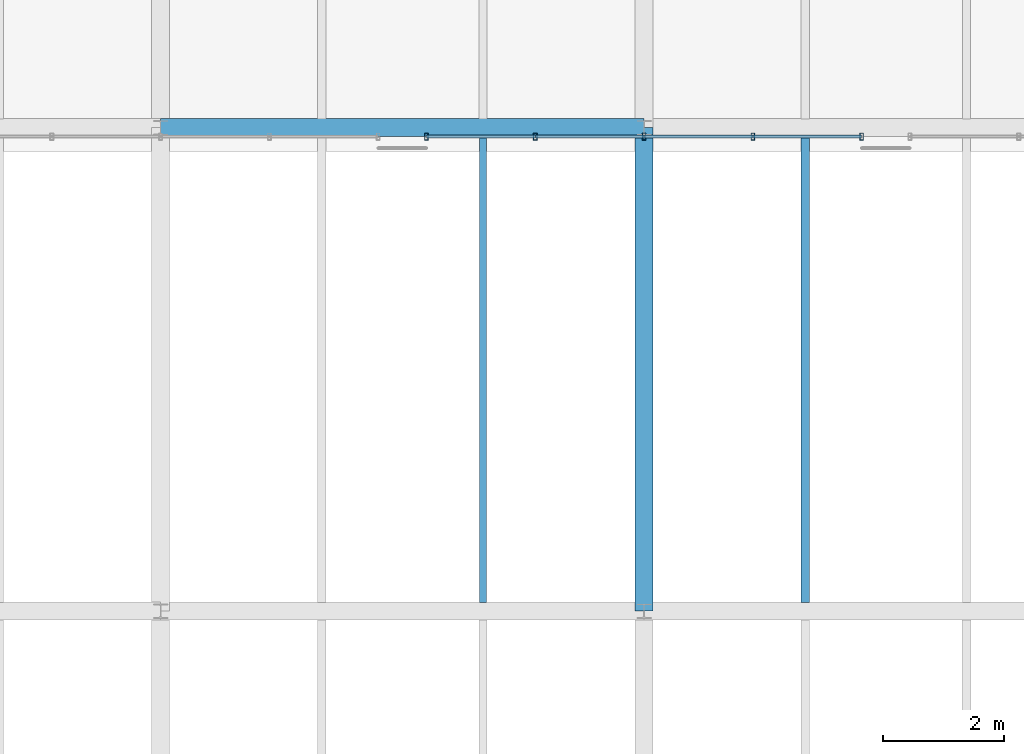
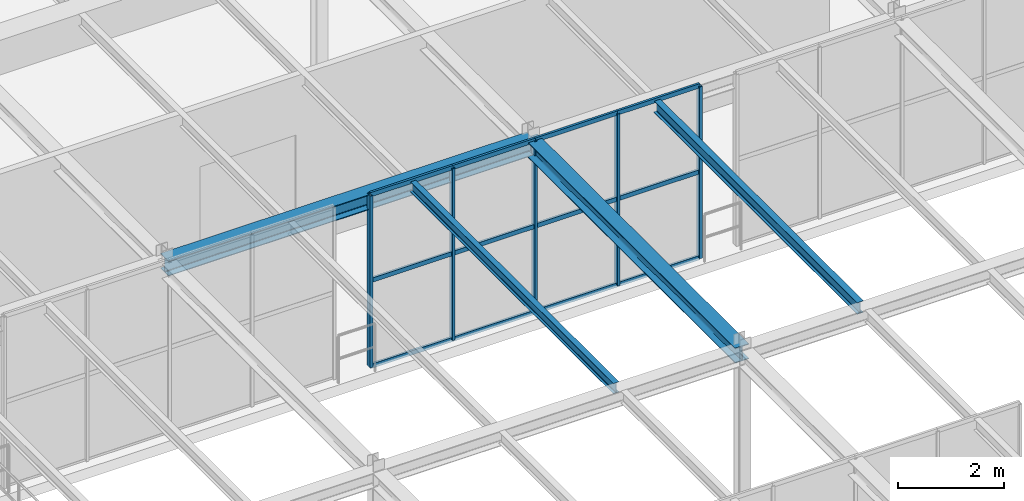
# One storey, part 57 of 124: 17 members, 4 beams, 1 element without a shape of its own.
"""IFC4 building model written with IfcOpenShell, lengths in metres."""

import ifcopenshell
import ifcopenshell.guid

model = None  # the IFC model being written
_history = None  # IfcOwnerHistory: only IFC2X3 demands one
_inside = {}  # id of a spatial element -> (the spatial element, [elements in it])
_under = {}  # id of a project, library or spatial element -> (it, [spatial elements below it])
_declared = {}  # id of a project -> (the project, [libraries it declares])
_typed = {}  # id of a type object -> (the type object, [elements of that type])
_made_of = {}  # id of a material, layer set ... -> (it, [elements and type objects made of it])


def new_model(schema):
    """Start an empty IFC model of exactly this schema.

    Asked for "IFC4X3", IfcOpenShell would pick the latest addendum, in which some entities
    have other attributes; the version numbers below select the first issue.
    IFC2X3 requires an IfcOwnerHistory on every rooted entity: one is made here for all.
    """
    global model, _history
    if schema == "IFC4X3":
        model = ifcopenshell.file(schema_version=(4, 3, 0, 0))
    else:
        model = ifcopenshell.file(schema=schema)
    _inside.clear()
    _under.clear()
    _declared.clear()
    _typed.clear()
    _made_of.clear()
    _history = None
    if model.schema == "IFC2X3":
        org = make("IfcOrganization", Name="unknown")
        user = make(
            "IfcPersonAndOrganization",
            ThePerson=make("IfcPerson", FamilyName="unknown"),
            TheOrganization=org,
        )
        app = make(
            "IfcApplication",
            ApplicationDeveloper=org,
            Version="unknown",
            ApplicationFullName="unknown",
            ApplicationIdentifier="unknown",
        )
        _history = make(
            "IfcOwnerHistory",
            OwningUser=user,
            OwningApplication=app,
            ChangeAction="ADDED",
            CreationDate=0,
        )
    return model


def make(cls, **values):
    """One entity of the class cls with the attributes given. An attribute that is None is left unset."""
    return model.create_entity(
        cls, **{name: value for name, value in values.items() if value is not None}
    )


def rooted(cls, **values):
    """An entity with a GlobalId (a new one), such as an element, a storey or a relation."""
    return make(cls, GlobalId=ifcopenshell.guid.new(), OwnerHistory=_history, **values)


def si_unit(unit_type, name, prefix=None):
    """IfcSIUnit, for example si_unit("LENGTHUNIT", "METRE", prefix="MILLI")."""
    return make("IfcSIUnit", UnitType=unit_type, Prefix=prefix, Name=name)


def assignment(units):
    """IfcUnitAssignment: the units of a project."""
    return None if units is None else make("IfcUnitAssignment", Units=units)


def point(xyz):
    """IfcCartesianPoint."""
    return None if xyz is None else make("IfcCartesianPoint", Coordinates=xyz)


def direction(xyz):
    """IfcDirection."""
    return None if xyz is None else make("IfcDirection", DirectionRatios=xyz)


def frame(location, z_axis=None, x_axis=None):
    """IfcAxis2Placement3D, a coordinate frame: its origin and axes. An axis left out is left unset."""
    return make(
        "IfcAxis2Placement3D",
        Location=point(location),
        Axis=direction(z_axis),
        RefDirection=direction(x_axis),
    )


def frame_2d(location, x_axis=None):
    """IfcAxis2Placement2D, a coordinate frame in the plane: its origin and x axis."""
    return make(
        "IfcAxis2Placement2D", Location=point(location), RefDirection=direction(x_axis)
    )


def origin():
    """The frame at (0, 0, 0) with its axes left unset."""
    return frame((0.0, 0.0, 0.0))


def origin_2d():
    """The frame at (0, 0) in the plane with its x axis left unset."""
    return frame_2d((0.0, 0.0))


def place(relative_to, where):
    """IfcLocalPlacement: puts the frame where relative to a parent placement (None: the world)."""
    return make(
        "IfcLocalPlacement", PlacementRelTo=relative_to, RelativePlacement=where
    )


def context(
    kind, dimensions, precision=None, world=None, true_north=None, identifier=None
):
    """IfcGeometricRepresentationContext, for example the 3D "Model" context."""
    return make(
        "IfcGeometricRepresentationContext",
        ContextIdentifier=identifier,
        ContextType=kind,
        CoordinateSpaceDimension=dimensions,
        Precision=precision,
        WorldCoordinateSystem=world,
        TrueNorth=true_north,
    )


def subcontext(parent, identifier, kind, view, scale=None):
    """IfcGeometricRepresentationSubContext, for example "Body" below "Model"."""
    return make(
        "IfcGeometricRepresentationSubContext",
        ContextIdentifier=identifier,
        ContextType=kind,
        ParentContext=parent,
        TargetScale=scale,
        TargetView=view,
    )


def project(units=None, contexts=None):
    """IfcProject with its units and contexts."""
    return rooted(
        "IfcProject",
        Name="project",
        RepresentationContexts=contexts,
        UnitsInContext=assignment(units),
    )


def spatial(cls, under=None, at=None, **own):
    """A site, building, storey or space (cls), placed at a placement, below another one or the project."""
    s = rooted(cls, ObjectPlacement=at, **own)
    if under is not None:
        _under.setdefault(under.id(), (under, []))[1].append(s)
    return s


def profile(cls, at=None, kind="AREA", **sizes):
    """A parametric profile (cls). Its sizes go by their IFC names, for example OverallWidth=200.0."""
    return make(cls, ProfileType=kind, Position=at, **sizes)


def hollow_rectangle(**sizes):
    """IfcRectangleHollowProfileDef."""
    return profile("IfcRectangleHollowProfileDef", **sizes)


def i_section(**sizes):
    """IfcIShapeProfileDef."""
    return profile("IfcIShapeProfileDef", **sizes)


def extrude(swept, where, along, depth):
    """IfcExtrudedAreaSolid: the profile swept, set in the frame where, extruded along a direction by depth."""
    return make(
        "IfcExtrudedAreaSolid",
        SweptArea=swept,
        Position=where,
        ExtrudedDirection=direction(along),
        Depth=depth,
    )


def shape(context_of_items, identifier, shape_type, items):
    """IfcShapeRepresentation: the items that make up one representation, for example the "Body"."""
    return make(
        "IfcShapeRepresentation",
        ContextOfItems=context_of_items,
        RepresentationIdentifier=identifier,
        RepresentationType=shape_type,
        Items=items,
    )


def material(Name=None, Category=None):
    """IfcMaterial."""
    return make("IfcMaterial", Name=Name, Category=Category)


def material_profile(
    of_material, cross_section, Name=None, Category=None, Priority=None
):
    """IfcMaterialProfile: a cross section and its material."""
    return make(
        "IfcMaterialProfile",
        Name=Name,
        Material=of_material,
        Profile=cross_section,
        Priority=Priority,
        Category=Category,
    )


def profile_set(profiles, Name=None, composite=None):
    """IfcMaterialProfileSet."""
    return make(
        "IfcMaterialProfileSet",
        Name=Name,
        MaterialProfiles=profiles,
        CompositeProfile=composite,
    )


def made_of(thing, what):
    """Note that an element or type object is made of a material, layer set ...; save() writes the relation."""
    if what is not None:
        _made_of.setdefault(what.id(), (what, []))[1].append(thing)
    return thing


def type_object(cls, material=None, **own):
    """A type object (cls), such as IfcWallType, which elements share."""
    return made_of(rooted(cls, **own), material)


def element(
    cls,
    number,
    at=None,
    inside=None,
    cuts=None,
    type_object=None,
    material=None,
    context=None,
    identifier="Body",
    shape_type=None,
    held_by="IfcProductDefinitionShape",
    body=None,
    shapes=None,
    **own,
):
    """One element of the class cls, such as IfcWall. Its Tag is "e" and its number.

    at: its placement. inside: the storey or other place that contains it. cuts: it is an
    opening in that element (IfcRelVoidsElement). A single representation is given by context,
    identifier, shape_type and body (its items); several are given by shapes. held_by: the class
    of the entity that holds the representations. save() writes the other relations.
    """
    e = rooted(cls, Tag="e%d" % number, ObjectPlacement=at, **own)
    if body is not None:
        shapes = [shape(context, identifier, shape_type, body)]
    if shapes is not None:
        e.Representation = make(held_by, Representations=shapes)
    if inside is not None:
        _inside.setdefault(inside.id(), (inside, []))[1].append(e)
    if cuts is not None:
        rooted(
            "IfcRelVoidsElement", RelatingBuildingElement=cuts, RelatedOpeningElement=e
        )
    if type_object is not None:
        _typed.setdefault(type_object.id(), (type_object, []))[1].append(e)
    return made_of(e, material)


def aggregate(whole, parts):
    """IfcRelAggregates: a whole, such as a stair, and the parts it consists of."""
    return rooted("IfcRelAggregates", RelatingObject=whole, RelatedObjects=parts)


def save(model, path):
    """Write the relations noted so far, then the file.

    IfcRelAggregates (storeys below a building ...), IfcRelContainedInSpatialStructure (elements
    in a storey), IfcRelDefinesByType, IfcRelAssociatesMaterial and IfcRelDeclares: one each for
    every whole, place, type object, material and project.
    """
    for whole, parts in _under.values():
        aggregate(whole, parts)
    for where, things in _inside.values():
        rooted(
            "IfcRelContainedInSpatialStructure",
            RelatedElements=things,
            RelatingStructure=where,
        )
    for kind, things in _typed.values():
        rooted("IfcRelDefinesByType", RelatedObjects=things, RelatingType=kind)
    for what, things in _made_of.values():
        rooted("IfcRelAssociatesMaterial", RelatedObjects=things, RelatingMaterial=what)
    for by, libraries in _declared.values():
        rooted("IfcRelDeclares", RelatingContext=by, RelatedDefinitions=libraries)
    model.write(path)


model = new_model("IFC4")

# Units and contexts
model_context = context("Model", 3, precision=1e-05, world=origin(), true_north=direction((0.0, 1.0)))
body_context = subcontext(model_context, "Body", "Model", "MODEL_VIEW")
ifc_project = project(units=[si_unit("LENGTHUNIT", "METRE"), si_unit("AREAUNIT", "SQUARE_METRE"), si_unit("VOLUMEUNIT", "CUBIC_METRE"), si_unit("PLANEANGLEUNIT", "RADIAN"), si_unit("MASSUNIT", "GRAM", prefix="KILO")], contexts=[model_context])

# Site, building, storey
site_placement = place(None, origin())
site = spatial("IfcSite", under=ifc_project, at=site_placement, CompositionType="ELEMENT")
building_placement = place(site_placement, origin())
building = spatial("IfcBuilding", under=site, at=building_placement, Name="Sundkrona Museum", CompositionType="ELEMENT")
storey_placement = place(building_placement, frame((0.0, 0.0, 17.60009765625)))
storey = spatial("IfcBuildingStorey", under=building, at=storey_placement, Name="L03", CompositionType="ELEMENT", Elevation=17.60009765625)

# Beams
ifc_material_1 = material(Name="Steel S355J2", Category="steel")
ifc_material_profile_1 = material_profile(ifc_material_1, i_section(OverallWidth=0.300048828125, OverallDepth=0.35009765625, WebThickness=0.010009765625, FlangeThickness=0.017578125, FilletRadius=0.027099609375, at=origin_2d()), Name="HEA 360")
ifc_profile_set_1 = profile_set([ifc_material_profile_1], Name="Steel S355J2")
beam_type_1 = type_object("IfcBeamType", Name="B-HEA360", PredefinedType="BEAM", material=ifc_profile_set_1)
for number, where, z_axis, x_axis, name in (
    (1, (24.0, 94.0, 3.784912109375), (1.0, 0.0, 0.0), (0.0, 1.0, 0.0), "L03 Girder X-1509"),
    (2, (32.0, 86.0, 3.784912109375), (0.0, 1.0, 0.0), (-1.0, 0.0, 0.0), "L03 Girder Y-1570"),
):
    element("IfcBeam", number, at=place(storey_placement, frame(where, z_axis=z_axis, x_axis=x_axis)), inside=storey, type_object=beam_type_1, Name=name, PredefinedType="BEAM", context=body_context, shape_type="SweptSolid", body=[
        extrude(i_section(OverallWidth=0.300048828125, OverallDepth=0.35009765625, WebThickness=0.010009765625, FlangeThickness=0.017578125, FilletRadius=0.027099609375, at=origin_2d()), origin(), (0.0, 0.0, 1.0), 8.0),
    ])
ifc_material_profile_2 = material_profile(ifc_material_1, i_section(OverallWidth=0.1201171875, OverallDepth=0.239990234375, WebThickness=0.006103515625, FlangeThickness=0.009765625, FilletRadius=0.014892578125, at=origin_2d()), Name="IPE 240")
ifc_profile_set_2 = profile_set([ifc_material_profile_2], Name="Steel S355J2")
beam_type_2 = type_object("IfcBeamType", Name="J-IPE240", PredefinedType="JOIST", material=ifc_profile_set_2)
beam_1_placement = place(storey_placement, frame((29.333251953125, 86.14404296875, 3.83984375), z_axis=(0.0, 1.0, 0.0), x_axis=(-1.0, 0.0, 0.0)))
element("IfcBeam", 3, at=beam_1_placement, inside=storey, type_object=beam_type_2, Name="L03 Composite Joist 0985", PredefinedType="JOIST", context=body_context, shape_type="SweptSolid", body=[
    extrude(i_section(OverallWidth=0.1201171875, OverallDepth=0.239990234375, WebThickness=0.006103515625, FlangeThickness=0.009765625, FilletRadius=0.014892578125, at=origin_2d()), origin(), (0.0, 0.0, 1.0), 7.7119140625),
])
ifc_material_profile_3 = material_profile(ifc_material_1, i_section(OverallWidth=0.135009765625, OverallDepth=0.27001953125, WebThickness=0.006591796875, FlangeThickness=0.01025390625, FilletRadius=0.014892578125, at=origin_2d()), Name="IPE 270")
ifc_profile_set_3 = profile_set([ifc_material_profile_3], Name="Steel S355J2")
beam_type_3 = type_object("IfcBeamType", Name="J-IPE270", PredefinedType="JOIST", material=ifc_profile_set_3)
beam_2_placement = place(storey_placement, frame((34.666748046875, 86.14404296875, 3.824951171875), z_axis=(0.0, 1.0, 0.0), x_axis=(-1.0, 0.0, 0.0)))
element("IfcBeam", 4, at=beam_2_placement, inside=storey, type_object=beam_type_3, Name="L03 Composite Joist 0996", PredefinedType="JOIST", context=body_context, shape_type="SweptSolid", body=[
    extrude(i_section(OverallWidth=0.135009765625, OverallDepth=0.27001953125, WebThickness=0.006591796875, FlangeThickness=0.01025390625, FilletRadius=0.014892578125, at=origin_2d()), origin(), (0.0, 0.0, 1.0), 7.7119140625),
])

# Curtain wall, members
ifc_material_2 = material(Name="Unitised Aluminium-Steel and Ceramic-Clad Curtain Walling", Category="steel")
curtain_wall_type = type_object("IfcCurtainWallType", Name="CW-CL-64x38", PredefinedType="NOTDEFINED", material=ifc_material_2)
curtain_wall_placement = place(storey_placement, origin())
curtain_wall = element("IfcCurtainWall", 5, at=curtain_wall_placement, inside=storey, type_object=curtain_wall_type, Name="L03 Curtain Wall CW-L03-139", PredefinedType="NOTDEFINED")
ifc_material_3 = material(Name="Aluminium EN AW-6060 T66", Category="aluminium")
ifc_material_profile_4 = material_profile(ifc_material_3, hollow_rectangle(XDim=0.06005859375, YDim=0.1201171875, WallThickness=0.0048828125, at=origin_2d()), Name="RHS 120x60x5.0")
ifc_profile_set_4 = profile_set([ifc_material_profile_4], Name="Aluminium EN AW-6060 T66")
member_type_1 = type_object("IfcMemberType", Name="ML-120", PredefinedType="MULLION", material=ifc_profile_set_4)
member_1_placement = place(storey_placement, frame((28.39990234375, 93.85009765625, -0.004150390625), z_axis=(0.0, 0.0, 1.0), x_axis=(1.0, 0.0, 0.0)))
member_1 = element("IfcMember", 6, at=member_1_placement, type_object=member_type_1, Name="CW-L03-139 Mullion 01", PredefinedType="MULLION", context=body_context, shape_type="SweptSolid", body=[
    extrude(hollow_rectangle(XDim=0.06005859375, YDim=0.1201171875, WallThickness=0.0048828125, at=origin_2d()), origin(), (0.0, 0.0, 1.0), 3.968017578125),
])
member_2_placement = place(storey_placement, frame((30.199951171875, 93.85009765625, -0.004150390625), z_axis=(0.0, 0.0, 1.0), x_axis=(1.0, 0.0, 0.0)))
member_2 = element("IfcMember", 7, at=member_2_placement, type_object=member_type_1, Name="CW-L03-139 Mullion 02", PredefinedType="MULLION", context=body_context, shape_type="SweptSolid", body=[
    extrude(hollow_rectangle(XDim=0.06005859375, YDim=0.1201171875, WallThickness=0.0048828125, at=origin_2d()), origin(), (0.0, 0.0, 1.0), 3.968017578125),
])
member_3_placement = place(storey_placement, frame((32.0, 93.85009765625, -0.004150390625), z_axis=(0.0, 0.0, 1.0), x_axis=(1.0, 0.0, 0.0)))
member_3 = element("IfcMember", 8, at=member_3_placement, type_object=member_type_1, Name="CW-L03-139 Mullion 03", PredefinedType="MULLION", context=body_context, shape_type="SweptSolid", body=[
    extrude(hollow_rectangle(XDim=0.06005859375, YDim=0.1201171875, WallThickness=0.0048828125, at=origin_2d()), origin(), (0.0, 0.0, 1.0), 3.968017578125),
])
member_4_placement = place(storey_placement, frame((33.800048828125, 93.85009765625, -0.004150390625), z_axis=(0.0, 0.0, 1.0), x_axis=(1.0, 0.0, 0.0)))
member_4 = element("IfcMember", 9, at=member_4_placement, type_object=member_type_1, Name="CW-L03-139 Mullion 04", PredefinedType="MULLION", context=body_context, shape_type="SweptSolid", body=[
    extrude(hollow_rectangle(XDim=0.06005859375, YDim=0.1201171875, WallThickness=0.0048828125, at=origin_2d()), origin(), (0.0, 0.0, 1.0), 3.968017578125),
])
member_5_placement = place(storey_placement, frame((35.60009765625, 93.85009765625, -0.004150390625), z_axis=(0.0, 0.0, 1.0), x_axis=(1.0, 0.0, 0.0)))
member_5 = element("IfcMember", 10, at=member_5_placement, type_object=member_type_1, Name="CW-L03-139 Mullion 05", PredefinedType="MULLION", context=body_context, shape_type="SweptSolid", body=[
    extrude(hollow_rectangle(XDim=0.06005859375, YDim=0.1201171875, WallThickness=0.0048828125, at=origin_2d()), origin(), (0.0, 0.0, 1.0), 3.968017578125),
])
ifc_material_profile_5 = material_profile(ifc_material_3, hollow_rectangle(XDim=0.050048828125, YDim=0.10009765625, WallThickness=0.0048828125, at=origin_2d()), Name="RHS 100x50x5.0")
ifc_profile_set_5 = profile_set([ifc_material_profile_5], Name="Aluminium EN AW-6060 T66")
member_type_2 = type_object("IfcMemberType", Name="TR-100", PredefinedType="USERDEFINED", material=ifc_profile_set_5)
member_6_placement = place(storey_placement, frame((28.39990234375, 93.85009765625, -0.004150390625), z_axis=(1.0, 0.0, 0.0), x_axis=(0.0, 1.0, 0.0)))
member_6 = element("IfcMember", 11, at=member_6_placement, type_object=member_type_2, Name="CW-L03-139 Transom 01", ObjectType="TRANSOM", PredefinedType="USERDEFINED", context=body_context, shape_type="SweptSolid", body=[
    extrude(hollow_rectangle(XDim=0.050048828125, YDim=0.10009765625, WallThickness=0.0048828125, at=origin_2d()), origin(), (0.0, 0.0, 1.0), 1.800048828125),
])
member_7_placement = place(storey_placement, frame((28.39990234375, 93.85009765625, 1.97998046875), z_axis=(1.0, 0.0, 0.0), x_axis=(0.0, 1.0, 0.0)))
member_7 = element("IfcMember", 12, at=member_7_placement, type_object=member_type_2, Name="CW-L03-139 Transom 02", ObjectType="TRANSOM", PredefinedType="USERDEFINED", context=body_context, shape_type="SweptSolid", body=[
    extrude(hollow_rectangle(XDim=0.050048828125, YDim=0.10009765625, WallThickness=0.0048828125, at=origin_2d()), origin(), (0.0, 0.0, 1.0), 1.800048828125),
])
member_8_placement = place(storey_placement, frame((28.39990234375, 93.85009765625, 3.9638671875), z_axis=(1.0, 0.0, 0.0), x_axis=(0.0, 1.0, 0.0)))
member_8 = element("IfcMember", 13, at=member_8_placement, type_object=member_type_2, Name="CW-L03-139 Transom 03", ObjectType="TRANSOM", PredefinedType="USERDEFINED", context=body_context, shape_type="SweptSolid", body=[
    extrude(hollow_rectangle(XDim=0.050048828125, YDim=0.10009765625, WallThickness=0.0048828125, at=origin_2d()), origin(), (0.0, 0.0, 1.0), 1.800048828125),
])
member_9_placement = place(storey_placement, frame((30.199951171875, 93.85009765625, -0.004150390625), z_axis=(1.0, 0.0, 0.0), x_axis=(0.0, 1.0, 0.0)))
member_9 = element("IfcMember", 14, at=member_9_placement, type_object=member_type_2, Name="CW-L03-139 Transom 04", ObjectType="TRANSOM", PredefinedType="USERDEFINED", context=body_context, shape_type="SweptSolid", body=[
    extrude(hollow_rectangle(XDim=0.050048828125, YDim=0.10009765625, WallThickness=0.0048828125, at=origin_2d()), origin(), (0.0, 0.0, 1.0), 1.800048828125),
])
member_10_placement = place(storey_placement, frame((30.199951171875, 93.85009765625, 1.97998046875), z_axis=(1.0, 0.0, 0.0), x_axis=(0.0, 1.0, 0.0)))
member_10 = element("IfcMember", 15, at=member_10_placement, type_object=member_type_2, Name="CW-L03-139 Transom 05", ObjectType="TRANSOM", PredefinedType="USERDEFINED", context=body_context, shape_type="SweptSolid", body=[
    extrude(hollow_rectangle(XDim=0.050048828125, YDim=0.10009765625, WallThickness=0.0048828125, at=origin_2d()), origin(), (0.0, 0.0, 1.0), 1.800048828125),
])
member_11_placement = place(storey_placement, frame((30.199951171875, 93.85009765625, 3.9638671875), z_axis=(1.0, 0.0, 0.0), x_axis=(0.0, 1.0, 0.0)))
member_11 = element("IfcMember", 16, at=member_11_placement, type_object=member_type_2, Name="CW-L03-139 Transom 06", ObjectType="TRANSOM", PredefinedType="USERDEFINED", context=body_context, shape_type="SweptSolid", body=[
    extrude(hollow_rectangle(XDim=0.050048828125, YDim=0.10009765625, WallThickness=0.0048828125, at=origin_2d()), origin(), (0.0, 0.0, 1.0), 1.800048828125),
])
member_12_placement = place(storey_placement, frame((32.0, 93.85009765625, -0.004150390625), z_axis=(1.0, 0.0, 0.0), x_axis=(0.0, 1.0, 0.0)))
member_12 = element("IfcMember", 17, at=member_12_placement, type_object=member_type_2, Name="CW-L03-139 Transom 07", ObjectType="TRANSOM", PredefinedType="USERDEFINED", context=body_context, shape_type="SweptSolid", body=[
    extrude(hollow_rectangle(XDim=0.050048828125, YDim=0.10009765625, WallThickness=0.0048828125, at=origin_2d()), origin(), (0.0, 0.0, 1.0), 1.800048828125),
])
member_13_placement = place(storey_placement, frame((32.0, 93.85009765625, 1.97998046875), z_axis=(1.0, 0.0, 0.0), x_axis=(0.0, 1.0, 0.0)))
member_13 = element("IfcMember", 18, at=member_13_placement, type_object=member_type_2, Name="CW-L03-139 Transom 08", ObjectType="TRANSOM", PredefinedType="USERDEFINED", context=body_context, shape_type="SweptSolid", body=[
    extrude(hollow_rectangle(XDim=0.050048828125, YDim=0.10009765625, WallThickness=0.0048828125, at=origin_2d()), origin(), (0.0, 0.0, 1.0), 1.800048828125),
])
member_14_placement = place(storey_placement, frame((32.0, 93.85009765625, 3.9638671875), z_axis=(1.0, 0.0, 0.0), x_axis=(0.0, 1.0, 0.0)))
member_14 = element("IfcMember", 19, at=member_14_placement, type_object=member_type_2, Name="CW-L03-139 Transom 09", ObjectType="TRANSOM", PredefinedType="USERDEFINED", context=body_context, shape_type="SweptSolid", body=[
    extrude(hollow_rectangle(XDim=0.050048828125, YDim=0.10009765625, WallThickness=0.0048828125, at=origin_2d()), origin(), (0.0, 0.0, 1.0), 1.800048828125),
])
member_15_placement = place(storey_placement, frame((33.800048828125, 93.85009765625, -0.004150390625), z_axis=(1.0, 0.0, 0.0), x_axis=(0.0, 1.0, 0.0)))
member_15 = element("IfcMember", 20, at=member_15_placement, type_object=member_type_2, Name="CW-L03-139 Transom 10", ObjectType="TRANSOM", PredefinedType="USERDEFINED", context=body_context, shape_type="SweptSolid", body=[
    extrude(hollow_rectangle(XDim=0.050048828125, YDim=0.10009765625, WallThickness=0.0048828125, at=origin_2d()), origin(), (0.0, 0.0, 1.0), 1.800048828125),
])
member_16_placement = place(storey_placement, frame((33.800048828125, 93.85009765625, 1.97998046875), z_axis=(1.0, 0.0, 0.0), x_axis=(0.0, 1.0, 0.0)))
member_16 = element("IfcMember", 21, at=member_16_placement, type_object=member_type_2, Name="CW-L03-139 Transom 11", ObjectType="TRANSOM", PredefinedType="USERDEFINED", context=body_context, shape_type="SweptSolid", body=[
    extrude(hollow_rectangle(XDim=0.050048828125, YDim=0.10009765625, WallThickness=0.0048828125, at=origin_2d()), origin(), (0.0, 0.0, 1.0), 1.800048828125),
])
member_17_placement = place(storey_placement, frame((33.800048828125, 93.85009765625, 3.9638671875), z_axis=(1.0, 0.0, 0.0), x_axis=(0.0, 1.0, 0.0)))
member_17 = element("IfcMember", 22, at=member_17_placement, type_object=member_type_2, Name="CW-L03-139 Transom 12", ObjectType="TRANSOM", PredefinedType="USERDEFINED", context=body_context, shape_type="SweptSolid", body=[
    extrude(hollow_rectangle(XDim=0.050048828125, YDim=0.10009765625, WallThickness=0.0048828125, at=origin_2d()), origin(), (0.0, 0.0, 1.0), 1.800048828125),
])
aggregate(curtain_wall, [member_1, member_2, member_3, member_4, member_5, member_6, member_7, member_8, member_9, member_10, member_11, member_12, member_13, member_14, member_15, member_16, member_17])

save(model, "model.ifc")
